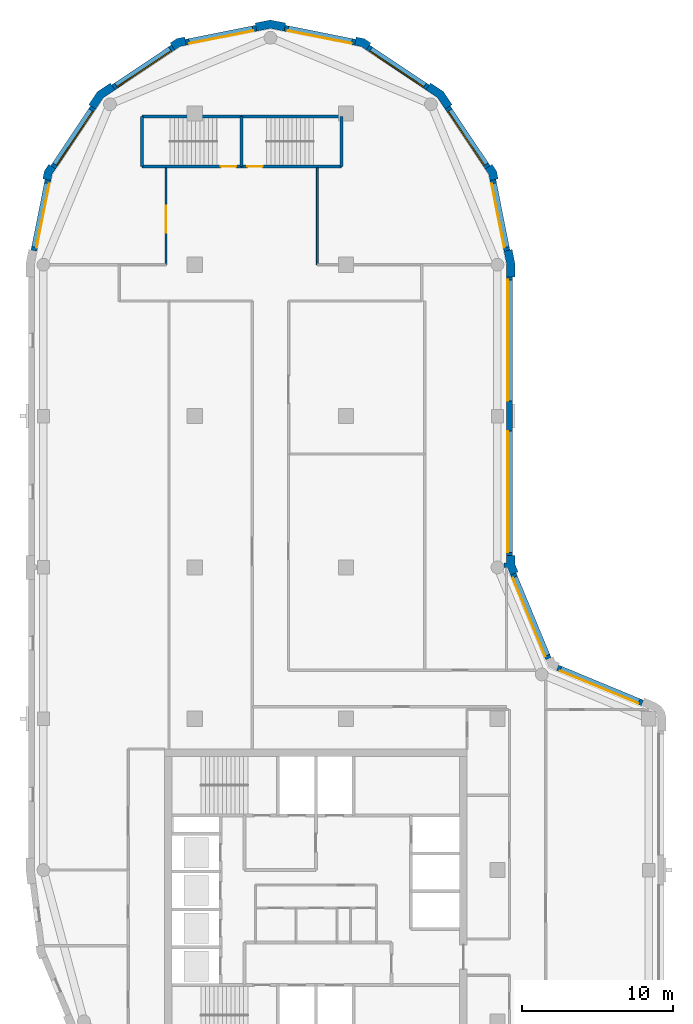
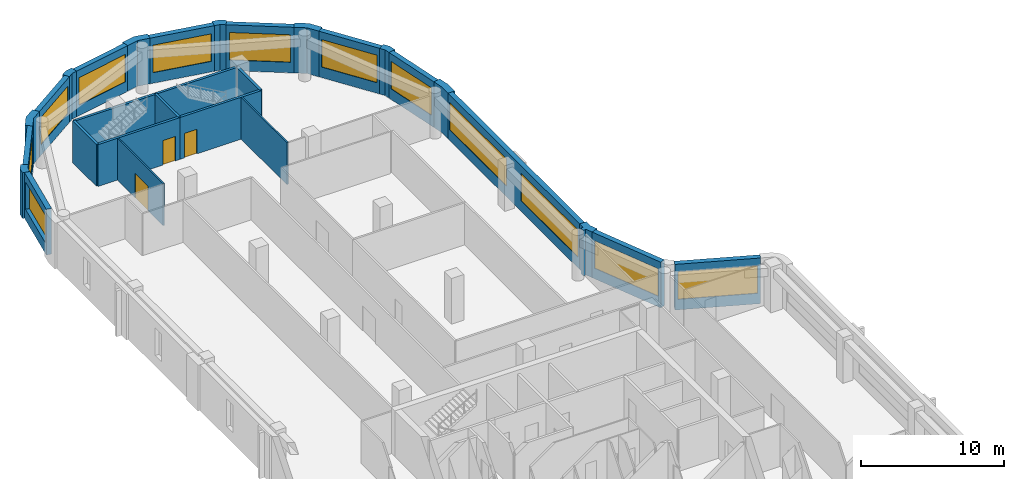
# One storey, part 5 of 8: 29 walls, 12 windows, 3 doors, 15 openings.
"""IFC4 building model written with IfcOpenShell, lengths in metres."""

from ifc_helpers import new_model, si_unit, direction, frame, frame_2d, origin, place, context, subcontext, project, spatial, polyline, rectangle, outline, extrude, material, layer, layer_set, type_object, element, fill, save


model = new_model("IFC4")

# Units and contexts
model_context = context("Model", 3, precision=1e-05, world=origin(), true_north=direction((0.0, 1.0)))
body_context = subcontext(model_context, "Body", "Model", "MODEL_VIEW")
ifc_project = project(units=[si_unit("LENGTHUNIT", "METRE"), si_unit("AREAUNIT", "SQUARE_METRE"), si_unit("VOLUMEUNIT", "CUBIC_METRE"), si_unit("PLANEANGLEUNIT", "RADIAN"), si_unit("MASSUNIT", "GRAM", prefix="KILO")], contexts=[model_context])

# Site, building, storey
site_placement = place(None, origin())
site = spatial("IfcSite", under=ifc_project, at=site_placement, CompositionType="ELEMENT")
building_placement = place(site_placement, origin())
building = spatial("IfcBuilding", under=site, at=building_placement, Name="Qaws Garden Tower", CompositionType="ELEMENT")
storey_placement = place(building_placement, frame((0.0, 0.0, 306.0)))
storey = spatial("IfcBuildingStorey", under=building, at=storey_placement, Name="L74", CompositionType="ELEMENT", Elevation=306.0)

# Wall, opening, window
ifc_material_1 = material(Name="Clay facing brick masonry", Category="masonry")
ifc_layer_1 = layer(ifc_material_1, 0.39990234375)
ifc_layer_set_1 = layer_set([ifc_layer_1], Name="Clay facing brick masonry")
wall_type_1 = type_object("IfcWallType", Name="Brick infill wall 400", PredefinedType="SOLIDWALL", material=ifc_layer_set_1)
wall_1_placement = place(storey_placement, frame((39.56689453125, 31.04541015625, 0.0), z_axis=(0.0, 0.0, 1.0), x_axis=(-0.923891000409, 0.382655745237, 0.0)))
wall_1 = element("IfcWall", 1, at=wall_1_placement, inside=storey, type_object=wall_type_1, Name="E-L74-infill-05", PredefinedType="SOLIDWALL", context=body_context, shape_type="SweptSolid", body=[
    extrude(rectangle(XDim=6.053466796875, YDim=0.39990234375, at=frame_2d((3.02685546875, 0.0))), origin(), (0.0, 0.0, 1.0), 3.89990234375),
])
opening_1_placement = place(wall_1_placement, frame((0.226806640625, 0.0, 0.89990234375)))
opening_1 = element("IfcOpeningElement", 2, at=opening_1_placement, cuts=wall_1, Name="Opening W04", PredefinedType="OPENING", context=body_context, shape_type="SweptSolid", body=[
    extrude(rectangle(XDim=5.60009765625, YDim=2.35009765625, at=frame_2d((2.800048828125, 1.175048828125))), frame((0.0, 0.2099609375, 0.0), z_axis=(0.0, -1.0, 0.0), x_axis=(1.0, 0.0, 0.0)), (0.0, 0.0, 1.0), 0.419921875),
])
ifc_material_2 = material(Name="Aluminium framed window, clear glazing", Category="aluminium")
window_type_1 = type_object("IfcWindowType", Name="Ribbon window 5600 x 2350", PartitioningType="DOUBLE_PANEL_VERTICAL", PredefinedType="WINDOW", material=ifc_material_2)
window_1_placement = place(opening_1_placement, origin())
window_1 = element("IfcWindow", 3, at=window_1_placement, inside=storey, type_object=window_type_1, Name="E-L74-window-05-0", OverallHeight=2.35009765625, OverallWidth=5.60009765625, PartitioningType="SINGLE_PANEL", PredefinedType="WINDOW", context=body_context, shape_type="SweptSolid", body=[
    extrude(rectangle(XDim=5.60009765625, YDim=2.35009765625, at=frame_2d((2.800048828125, 1.175048828125))), frame((0.0, 0.159912109375, 0.0), z_axis=(0.0, -1.0, 0.0), x_axis=(1.0, 0.0, 0.0)), (0.0, 0.0, 1.0), 0.06005859375),
])
fill(opening_1, window_1)

wall_2_placement = place(storey_placement, frame((33.36181640625, 33.97412109375, 0.0), z_axis=(0.0, 0.0, 1.0), x_axis=(-0.382655745237, 0.923891000409, 0.0)))
wall_2 = element("IfcWall", 4, at=wall_2_placement, inside=storey, type_object=wall_type_1, Name="E-L74-infill-06", PredefinedType="SOLIDWALL", context=body_context, shape_type="SweptSolid", body=[
    extrude(rectangle(XDim=6.053466796875, YDim=0.39990234375, at=frame_2d((3.02685546875, 0.0))), origin(), (0.0, 0.0, 1.0), 3.89990234375),
])
opening_2_placement = place(wall_2_placement, frame((0.226806640625, 0.0, 0.89990234375)))
opening_2 = element("IfcOpeningElement", 5, at=opening_2_placement, cuts=wall_2, Name="Opening W04", PredefinedType="OPENING", context=body_context, shape_type="SweptSolid", body=[
    extrude(rectangle(XDim=5.60009765625, YDim=2.35009765625, at=frame_2d((2.800048828125, 1.175048828125))), frame((0.0, 0.2099609375, 0.0), z_axis=(0.0, -1.0, 0.0), x_axis=(1.0, 0.0, 0.0)), (0.0, 0.0, 1.0), 0.419921875),
])
window_2_placement = place(opening_2_placement, origin())
window_2 = element("IfcWindow", 6, at=window_2_placement, inside=storey, type_object=window_type_1, Name="E-L74-window-06-0", OverallHeight=2.35009765625, OverallWidth=5.60009765625, PartitioningType="SINGLE_PANEL", PredefinedType="WINDOW", context=body_context, shape_type="SweptSolid", body=[
    extrude(rectangle(XDim=5.60009765625, YDim=2.35009765625, at=frame_2d((2.800048828125, 1.175048828125))), frame((0.0, 0.159912109375, 0.0), z_axis=(0.0, -1.0, 0.0), x_axis=(1.0, 0.0, 0.0)), (0.0, 0.0, 1.0), 0.06005859375),
])
fill(opening_2, window_2)

# Wall, openings, windows
wall_3_placement = place(storey_placement, frame((30.800048828125, 40.800048828125, 0.0), z_axis=(0.0, 0.0, 1.0), x_axis=(0.0, 1.0, 0.0)))
wall_3 = element("IfcWall", 7, at=wall_3_placement, inside=storey, type_object=wall_type_1, Name="E-L74-infill-07", PredefinedType="SOLIDWALL", context=body_context, shape_type="SweptSolid", body=[
    extrude(rectangle(XDim=18.39990234375, YDim=0.39990234375, at=frame_2d((9.199951171875, 0.0))), origin(), (0.0, 0.0, 1.0), 3.89990234375),
])
opening_3_placement = place(wall_3_placement, frame((0.199951171875, 0.0, 0.89990234375)))
opening_3 = element("IfcOpeningElement", 8, at=opening_3_placement, cuts=wall_3, Name="Opening W01", PredefinedType="OPENING", context=body_context, shape_type="SweptSolid", body=[
    extrude(rectangle(XDim=8.0, YDim=2.35009765625, at=frame_2d((4.0, 1.175048828125))), frame((0.0, 0.2099609375, 0.0), z_axis=(0.0, -1.0, 0.0), x_axis=(1.0, 0.0, 0.0)), (0.0, 0.0, 1.0), 0.419921875),
])
opening_4_placement = place(wall_3_placement, frame((10.199951171875, 0.0, 0.89990234375)))
opening_4 = element("IfcOpeningElement", 9, at=opening_4_placement, cuts=wall_3, Name="Opening W01", PredefinedType="OPENING", context=body_context, shape_type="SweptSolid", body=[
    extrude(rectangle(XDim=8.0, YDim=2.35009765625, at=frame_2d((4.0, 1.175048828125))), frame((0.0, 0.2099609375, 0.0), z_axis=(0.0, -1.0, 0.0), x_axis=(1.0, 0.0, 0.0)), (0.0, 0.0, 1.0), 0.419921875),
])
ifc_material_3 = material(Name="Aluminium framed window, clear glazing", Category="aluminium")
window_type_2 = type_object("IfcWindowType", Name="Ribbon window 8000 x 2350", PartitioningType="DOUBLE_PANEL_VERTICAL", PredefinedType="WINDOW", material=ifc_material_3)
window_3_placement = place(opening_3_placement, origin())
window_3 = element("IfcWindow", 10, at=window_3_placement, inside=storey, type_object=window_type_2, Name="E-L74-window-07-0", OverallHeight=2.35009765625, OverallWidth=8.0, PartitioningType="SINGLE_PANEL", PredefinedType="WINDOW", context=body_context, shape_type="SweptSolid", body=[
    extrude(rectangle(XDim=8.0, YDim=2.35009765625, at=frame_2d((4.0, 1.175048828125))), frame((0.0, 0.159912109375, 0.0), z_axis=(0.0, -1.0, 0.0), x_axis=(1.0, 0.0, 0.0)), (0.0, 0.0, 1.0), 0.06005859375),
])
fill(opening_3, window_3)
window_4_placement = place(opening_4_placement, origin())
window_4 = element("IfcWindow", 11, at=window_4_placement, inside=storey, type_object=window_type_2, Name="E-L74-window-08-0", OverallHeight=2.35009765625, OverallWidth=8.0, PartitioningType="SINGLE_PANEL", PredefinedType="WINDOW", context=body_context, shape_type="SweptSolid", body=[
    extrude(rectangle(XDim=8.0, YDim=2.35009765625, at=frame_2d((4.0, 1.175048828125))), frame((0.0, 0.159912109375, 0.0), z_axis=(0.0, -1.0, 0.0), x_axis=(1.0, 0.0, 0.0)), (0.0, 0.0, 1.0), 0.06005859375),
])
fill(opening_4, window_4)

# Wall, opening, window
wall_4_placement = place(storey_placement, frame((30.628662109375, 60.940673828125, 0.0), z_axis=(0.0, 0.0, 1.0), x_axis=(-0.195098533057, 0.98078364709, 0.0)))
wall_4 = element("IfcWall", 12, at=wall_4_placement, inside=storey, type_object=wall_type_1, Name="E-L74-infill-09", PredefinedType="SOLIDWALL", context=body_context, shape_type="SweptSolid", body=[
    extrude(rectangle(XDim=4.752685546875, YDim=0.39990234375, at=frame_2d((2.37646484375, 0.0))), origin(), (0.0, 0.0, 1.0), 3.89990234375),
])
opening_5_placement = place(wall_4_placement, frame((0.226318359375, 0.0, 0.89990234375)))
opening_5 = element("IfcOpeningElement", 13, at=opening_5_placement, cuts=wall_4, Name="Opening W06", PredefinedType="OPENING", context=body_context, shape_type="SweptSolid", body=[
    extrude(rectangle(XDim=4.300048828125, YDim=2.35009765625, at=frame_2d((2.14990234375, 1.175048828125))), frame((0.0, 0.2099609375, 0.0), z_axis=(0.0, -1.0, 0.0), x_axis=(1.0, 0.0, 0.0)), (0.0, 0.0, 1.0), 0.419921875),
])
ifc_material_4 = material(Name="Aluminium framed window, clear glazing", Category="aluminium")
window_type_3 = type_object("IfcWindowType", Name="Ribbon window 4300 x 2350", PartitioningType="DOUBLE_PANEL_VERTICAL", PredefinedType="WINDOW", material=ifc_material_4)
window_5_placement = place(opening_5_placement, origin())
window_5 = element("IfcWindow", 14, at=window_5_placement, inside=storey, type_object=window_type_3, Name="E-L74-window-09-0", OverallHeight=2.35009765625, OverallWidth=4.300048828125, PartitioningType="SINGLE_PANEL", PredefinedType="WINDOW", context=body_context, shape_type="SweptSolid", body=[
    extrude(rectangle(XDim=4.300048828125, YDim=2.35009765625, at=frame_2d((2.14990234375, 1.175048828125))), frame((0.0, 0.159912109375, 0.0), z_axis=(0.0, -1.0, 0.0), x_axis=(1.0, 0.0, 0.0)), (0.0, 0.0, 1.0), 0.06005859375),
])
fill(opening_5, window_5)

wall_5_placement = place(storey_placement, frame((29.356689453125, 66.43408203125, 0.0), z_axis=(0.0, 0.0, 1.0), x_axis=(-0.555541552266, 0.831488775454, 0.0)))
wall_5 = element("IfcWall", 15, at=wall_5_placement, inside=storey, type_object=wall_type_1, Name="E-L74-infill-10", PredefinedType="SOLIDWALL", context=body_context, shape_type="SweptSolid", body=[
    extrude(rectangle(XDim=4.752685546875, YDim=0.39990234375, at=frame_2d((2.37646484375, 0.0))), origin(), (0.0, 0.0, 1.0), 3.89990234375),
])
opening_6_placement = place(wall_5_placement, frame((0.226318359375, 0.0, 0.89990234375)))
opening_6 = element("IfcOpeningElement", 16, at=opening_6_placement, cuts=wall_5, Name="Opening W06", PredefinedType="OPENING", context=body_context, shape_type="SweptSolid", body=[
    extrude(rectangle(XDim=4.300048828125, YDim=2.35009765625, at=frame_2d((2.14990234375, 1.175048828125))), frame((0.0, 0.2099609375, 0.0), z_axis=(0.0, -1.0, 0.0), x_axis=(1.0, 0.0, 0.0)), (0.0, 0.0, 1.0), 0.419921875),
])
window_6_placement = place(opening_6_placement, origin())
window_6 = element("IfcWindow", 17, at=window_6_placement, inside=storey, type_object=window_type_3, Name="E-L74-window-10-0", OverallHeight=2.35009765625, OverallWidth=4.300048828125, PartitioningType="SINGLE_PANEL", PredefinedType="WINDOW", context=body_context, shape_type="SweptSolid", body=[
    extrude(rectangle(XDim=4.300048828125, YDim=2.35009765625, at=frame_2d((2.14990234375, 1.175048828125))), frame((0.0, 0.159912109375, 0.0), z_axis=(0.0, -1.0, 0.0), x_axis=(1.0, 0.0, 0.0)), (0.0, 0.0, 1.0), 0.06005859375),
])
fill(opening_6, window_6)

wall_6_placement = place(storey_placement, frame((25.385986328125, 71.71630859375, 0.0), z_axis=(0.0, 0.0, 1.0), x_axis=(-0.831488775454, 0.555541552266, 0.0)))
wall_6 = element("IfcWall", 18, at=wall_6_placement, inside=storey, type_object=wall_type_1, Name="E-L74-infill-11", PredefinedType="SOLIDWALL", context=body_context, shape_type="SweptSolid", body=[
    extrude(rectangle(XDim=4.752685546875, YDim=0.39990234375, at=frame_2d((2.37646484375, 0.0))), origin(), (0.0, 0.0, 1.0), 3.89990234375),
])
opening_7_placement = place(wall_6_placement, frame((0.226318359375, 0.0, 0.89990234375)))
opening_7 = element("IfcOpeningElement", 19, at=opening_7_placement, cuts=wall_6, Name="Opening W06", PredefinedType="OPENING", context=body_context, shape_type="SweptSolid", body=[
    extrude(rectangle(XDim=4.300048828125, YDim=2.35009765625, at=frame_2d((2.14990234375, 1.175048828125))), frame((0.0, 0.2099609375, 0.0), z_axis=(0.0, -1.0, 0.0), x_axis=(1.0, 0.0, 0.0)), (0.0, 0.0, 1.0), 0.419921875),
])
window_7_placement = place(opening_7_placement, origin())
window_7 = element("IfcWindow", 20, at=window_7_placement, inside=storey, type_object=window_type_3, Name="E-L74-window-11-0", OverallHeight=2.35009765625, OverallWidth=4.300048828125, PartitioningType="SINGLE_PANEL", PredefinedType="WINDOW", context=body_context, shape_type="SweptSolid", body=[
    extrude(rectangle(XDim=4.300048828125, YDim=2.35009765625, at=frame_2d((2.14990234375, 1.175048828125))), frame((0.0, 0.159912109375, 0.0), z_axis=(0.0, -1.0, 0.0), x_axis=(1.0, 0.0, 0.0)), (0.0, 0.0, 1.0), 0.06005859375),
])
fill(opening_7, window_7)

wall_7_placement = place(storey_placement, frame((20.60205078125, 74.701416015625, 0.0), z_axis=(0.0, 0.0, 1.0), x_axis=(-0.98078364709, 0.195098533057, 0.0)))
wall_7 = element("IfcWall", 21, at=wall_7_placement, inside=storey, type_object=wall_type_1, Name="E-L74-infill-12", PredefinedType="SOLIDWALL", context=body_context, shape_type="SweptSolid", body=[
    extrude(rectangle(XDim=4.752685546875, YDim=0.39990234375, at=frame_2d((2.37646484375, 0.0))), origin(), (0.0, 0.0, 1.0), 3.89990234375),
])
opening_8_placement = place(wall_7_placement, frame((0.226318359375, 0.0, 0.89990234375)))
opening_8 = element("IfcOpeningElement", 22, at=opening_8_placement, cuts=wall_7, Name="Opening W06", PredefinedType="OPENING", context=body_context, shape_type="SweptSolid", body=[
    extrude(rectangle(XDim=4.300048828125, YDim=2.35009765625, at=frame_2d((2.14990234375, 1.175048828125))), frame((0.0, 0.2099609375, 0.0), z_axis=(0.0, -1.0, 0.0), x_axis=(1.0, 0.0, 0.0)), (0.0, 0.0, 1.0), 0.419921875),
])
window_8_placement = place(opening_8_placement, origin())
window_8 = element("IfcWindow", 23, at=window_8_placement, inside=storey, type_object=window_type_3, Name="E-L74-window-12-0", OverallHeight=2.35009765625, OverallWidth=4.300048828125, PartitioningType="SINGLE_PANEL", PredefinedType="WINDOW", context=body_context, shape_type="SweptSolid", body=[
    extrude(rectangle(XDim=4.300048828125, YDim=2.35009765625, at=frame_2d((2.14990234375, 1.175048828125))), frame((0.0, 0.159912109375, 0.0), z_axis=(0.0, -1.0, 0.0), x_axis=(1.0, 0.0, 0.0)), (0.0, 0.0, 1.0), 0.06005859375),
])
fill(opening_8, window_8)

wall_8_placement = place(storey_placement, frame((14.059326171875, 75.628662109375, 0.0), z_axis=(0.0, 0.0, 1.0), x_axis=(-0.98078364709, -0.195098533057, 0.0)))
wall_8 = element("IfcWall", 24, at=wall_8_placement, inside=storey, type_object=wall_type_1, Name="E-L74-infill-13", PredefinedType="SOLIDWALL", context=body_context, shape_type="SweptSolid", body=[
    extrude(rectangle(XDim=4.752685546875, YDim=0.39990234375, at=frame_2d((2.37646484375, 0.0))), origin(), (0.0, 0.0, 1.0), 3.89990234375),
])
opening_9_placement = place(wall_8_placement, frame((0.226318359375, 0.0, 0.89990234375)))
opening_9 = element("IfcOpeningElement", 25, at=opening_9_placement, cuts=wall_8, Name="Opening W06", PredefinedType="OPENING", context=body_context, shape_type="SweptSolid", body=[
    extrude(rectangle(XDim=4.300048828125, YDim=2.35009765625, at=frame_2d((2.14990234375, 1.175048828125))), frame((0.0, 0.2099609375, 0.0), z_axis=(0.0, -1.0, 0.0), x_axis=(1.0, 0.0, 0.0)), (0.0, 0.0, 1.0), 0.419921875),
])
window_9_placement = place(opening_9_placement, origin())
window_9 = element("IfcWindow", 26, at=window_9_placement, inside=storey, type_object=window_type_3, Name="E-L74-window-13-0", OverallHeight=2.35009765625, OverallWidth=4.300048828125, PartitioningType="SINGLE_PANEL", PredefinedType="WINDOW", context=body_context, shape_type="SweptSolid", body=[
    extrude(rectangle(XDim=4.300048828125, YDim=2.35009765625, at=frame_2d((2.14990234375, 1.175048828125))), frame((0.0, 0.159912109375, 0.0), z_axis=(0.0, -1.0, 0.0), x_axis=(1.0, 0.0, 0.0)), (0.0, 0.0, 1.0), 0.06005859375),
])
fill(opening_9, window_9)

wall_9_placement = place(storey_placement, frame((8.56591796875, 74.356689453125, 0.0), z_axis=(0.0, 0.0, 1.0), x_axis=(-0.831488775454, -0.555541552266, 0.0)))
wall_9 = element("IfcWall", 27, at=wall_9_placement, inside=storey, type_object=wall_type_1, Name="E-L74-infill-14", PredefinedType="SOLIDWALL", context=body_context, shape_type="SweptSolid", body=[
    extrude(rectangle(XDim=4.752685546875, YDim=0.39990234375, at=frame_2d((2.37646484375, 0.0))), origin(), (0.0, 0.0, 1.0), 3.89990234375),
])
opening_10_placement = place(wall_9_placement, frame((0.226318359375, 0.0, 0.89990234375)))
opening_10 = element("IfcOpeningElement", 28, at=opening_10_placement, cuts=wall_9, Name="Opening W06", PredefinedType="OPENING", context=body_context, shape_type="SweptSolid", body=[
    extrude(rectangle(XDim=4.300048828125, YDim=2.35009765625, at=frame_2d((2.14990234375, 1.175048828125))), frame((0.0, 0.2099609375, 0.0), z_axis=(0.0, -1.0, 0.0), x_axis=(1.0, 0.0, 0.0)), (0.0, 0.0, 1.0), 0.419921875),
])
window_10_placement = place(opening_10_placement, origin())
window_10 = element("IfcWindow", 29, at=window_10_placement, inside=storey, type_object=window_type_3, Name="E-L74-window-14-0", OverallHeight=2.35009765625, OverallWidth=4.300048828125, PartitioningType="SINGLE_PANEL", PredefinedType="WINDOW", context=body_context, shape_type="SweptSolid", body=[
    extrude(rectangle(XDim=4.300048828125, YDim=2.35009765625, at=frame_2d((2.14990234375, 1.175048828125))), frame((0.0, 0.159912109375, 0.0), z_axis=(0.0, -1.0, 0.0), x_axis=(1.0, 0.0, 0.0)), (0.0, 0.0, 1.0), 0.06005859375),
])
fill(opening_10, window_10)

wall_10_placement = place(storey_placement, frame((3.28369140625, 70.385986328125, 0.0), z_axis=(0.0, 0.0, 1.0), x_axis=(-0.555541552266, -0.831488775454, 0.0)))
wall_10 = element("IfcWall", 30, at=wall_10_placement, inside=storey, type_object=wall_type_1, Name="E-L74-infill-15", PredefinedType="SOLIDWALL", context=body_context, shape_type="SweptSolid", body=[
    extrude(rectangle(XDim=4.752685546875, YDim=0.39990234375, at=frame_2d((2.37646484375, 0.0))), origin(), (0.0, 0.0, 1.0), 3.89990234375),
])
opening_11_placement = place(wall_10_placement, frame((0.226318359375, 0.0, 0.89990234375)))
opening_11 = element("IfcOpeningElement", 31, at=opening_11_placement, cuts=wall_10, Name="Opening W06", PredefinedType="OPENING", context=body_context, shape_type="SweptSolid", body=[
    extrude(rectangle(XDim=4.300048828125, YDim=2.35009765625, at=frame_2d((2.14990234375, 1.175048828125))), frame((0.0, 0.2099609375, 0.0), z_axis=(0.0, -1.0, 0.0), x_axis=(1.0, 0.0, 0.0)), (0.0, 0.0, 1.0), 0.419921875),
])
window_11_placement = place(opening_11_placement, origin())
window_11 = element("IfcWindow", 32, at=window_11_placement, inside=storey, type_object=window_type_3, Name="E-L74-window-15-0", OverallHeight=2.35009765625, OverallWidth=4.300048828125, PartitioningType="SINGLE_PANEL", PredefinedType="WINDOW", context=body_context, shape_type="SweptSolid", body=[
    extrude(rectangle(XDim=4.300048828125, YDim=2.35009765625, at=frame_2d((2.14990234375, 1.175048828125))), frame((0.0, 0.159912109375, 0.0), z_axis=(0.0, -1.0, 0.0), x_axis=(1.0, 0.0, 0.0)), (0.0, 0.0, 1.0), 0.06005859375),
])
fill(opening_11, window_11)

wall_11_placement = place(storey_placement, frame((0.298583984375, 65.60205078125, 0.0), z_axis=(0.0, 0.0, 1.0), x_axis=(-0.195098533057, -0.98078364709, 0.0)))
wall_11 = element("IfcWall", 33, at=wall_11_placement, inside=storey, type_object=wall_type_1, Name="E-L74-infill-16", PredefinedType="SOLIDWALL", context=body_context, shape_type="SweptSolid", body=[
    extrude(rectangle(XDim=4.752685546875, YDim=0.39990234375, at=frame_2d((2.37646484375, 0.0))), origin(), (0.0, 0.0, 1.0), 3.89990234375),
])
opening_12_placement = place(wall_11_placement, frame((0.226318359375, 0.0, 0.89990234375)))
opening_12 = element("IfcOpeningElement", 34, at=opening_12_placement, cuts=wall_11, Name="Opening W06", PredefinedType="OPENING", context=body_context, shape_type="SweptSolid", body=[
    extrude(rectangle(XDim=4.300048828125, YDim=2.35009765625, at=frame_2d((2.14990234375, 1.175048828125))), frame((0.0, 0.2099609375, 0.0), z_axis=(0.0, -1.0, 0.0), x_axis=(1.0, 0.0, 0.0)), (0.0, 0.0, 1.0), 0.419921875),
])
window_12_placement = place(opening_12_placement, origin())
window_12 = element("IfcWindow", 35, at=window_12_placement, inside=storey, type_object=window_type_3, Name="E-L74-window-16-0", OverallHeight=2.35009765625, OverallWidth=4.300048828125, PartitioningType="SINGLE_PANEL", PredefinedType="WINDOW", context=body_context, shape_type="SweptSolid", body=[
    extrude(rectangle(XDim=4.300048828125, YDim=2.35009765625, at=frame_2d((2.14990234375, 1.175048828125))), frame((0.0, 0.159912109375, 0.0), z_axis=(0.0, -1.0, 0.0), x_axis=(1.0, 0.0, 0.0)), (0.0, 0.0, 1.0), 0.06005859375),
])
fill(opening_12, window_12)

# Walls
ifc_material_5 = material(Name="Clay facing brick masonry", Category="masonry")
ifc_layer_2 = layer(ifc_material_5, 0.550048828125)
ifc_layer_set_2 = layer_set([ifc_layer_2], Name="Clay facing brick masonry")
wall_type_2 = type_object("IfcWallType", Name="Brick kink pier 550 x 600", PredefinedType="SOLIDWALL", material=ifc_layer_set_2)
placement = place(storey_placement, origin())
element("IfcWall", 36, at=placement, inside=storey, type_object=wall_type_2, Name="E-L74-pier-10", PredefinedType="SOLIDWALL", context=body_context, shape_type="SweptSolid", body=[
    extrude(outline(polyline([(29.8974609375, 65.64111328125), (30.044677734375, 65.67041015625), (29.94140625, 66.18896484375), (29.647705078125, 66.628662109375), (29.52294921875, 66.545166015625), (29.1904296875, 66.322998046875), (29.42333984375, 65.974365234375), (29.505126953125, 65.56298828125), (29.8974609375, 65.64111328125)])), origin(), (0.0, 0.0, 1.0), 3.89990234375),
])
element("IfcWall", 37, at=placement, inside=storey, type_object=wall_type_2, Name="E-L74-pier-12", PredefinedType="SOLIDWALL", context=body_context, shape_type="SweptSolid", body=[
    extrude(outline(polyline([(21.545166015625, 74.52294921875), (21.628662109375, 74.647705078125), (21.18896484375, 74.94140625), (20.67041015625, 75.044677734375), (20.64111328125, 74.8974609375), (20.56298828125, 74.505126953125), (20.974365234375, 74.42333984375), (21.322998046875, 74.1904296875), (21.545166015625, 74.52294921875)])), origin(), (0.0, 0.0, 1.0), 3.89990234375),
])
element("IfcWall", 38, at=placement, inside=storey, type_object=wall_type_2, Name="E-L74-pier-14", PredefinedType="SOLIDWALL", context=body_context, shape_type="SweptSolid", body=[
    extrude(outline(polyline([(9.35888671875, 74.8974609375), (9.32958984375, 75.044677734375), (8.81103515625, 74.94140625), (8.371337890625, 74.647705078125), (8.454833984375, 74.52294921875), (8.677001953125, 74.1904296875), (9.025634765625, 74.42333984375), (9.43701171875, 74.505126953125), (9.35888671875, 74.8974609375)])), origin(), (0.0, 0.0, 1.0), 3.89990234375),
])
element("IfcWall", 39, at=placement, inside=storey, type_object=wall_type_2, Name="E-L74-pier-16", PredefinedType="SOLIDWALL", context=body_context, shape_type="SweptSolid", body=[
    extrude(outline(polyline([(0.47705078125, 66.545166015625), (0.352294921875, 66.628662109375), (0.05859375, 66.18896484375), (-0.044677734375, 65.67041015625), (0.1025390625, 65.64111328125), (0.494873046875, 65.56298828125), (0.57666015625, 65.974365234375), (0.8095703125, 66.322998046875), (0.47705078125, 66.545166015625)])), origin(), (0.0, 0.0, 1.0), 3.89990234375),
])
ifc_material_6 = material(Name="Clay facing brick masonry", Category="masonry")
ifc_layer_3 = layer(ifc_material_6, 0.550048828125)
ifc_layer_set_3 = layer_set([ifc_layer_3], Name="Clay facing brick masonry")
wall_type_3 = type_object("IfcWallType", Name="Brick pier 550 x 1600", PredefinedType="SOLIDWALL", material=ifc_layer_set_3)
element("IfcWall", 40, at=placement, inside=storey, type_object=wall_type_3, Name="E-L74-pier-07", PredefinedType="SOLIDWALL", context=body_context, shape_type="SweptSolid", body=[
    extrude(outline(polyline([(30.6201171875, 39.995361328125), (30.6201171875, 40.071044921875), (30.860595703125, 39.490478515625), (31.22998046875, 39.6435546875), (31.36865234375, 39.700927734375), (31.14990234375, 40.228759765625), (31.14990234375, 40.800048828125), (31.0, 40.800048828125), (30.60009765625, 40.800048828125), (30.60009765625, 40.29541015625), (30.425048828125, 40.29541015625), (30.425048828125, 39.995361328125), (30.6201171875, 39.995361328125)])), origin(), (0.0, 0.0, 1.0), 3.89990234375),
])
element("IfcWall", 41, at=placement, inside=storey, type_object=wall_type_3, Name="E-L74-pier-09", PredefinedType="SOLIDWALL", context=body_context, shape_type="SweptSolid", body=[
    extrude(outline(polyline([(31.0, 59.199951171875), (31.14990234375, 59.199951171875), (31.14990234375, 60.11328125), (30.971923828125, 61.009033203125), (30.82470703125, 60.979736328125), (30.432373046875, 60.901611328125), (30.60009765625, 60.05908203125), (30.60009765625, 59.199951171875), (31.0, 59.199951171875)])), origin(), (0.0, 0.0, 1.0), 3.89990234375),
])
element("IfcWall", 42, at=placement, inside=storey, type_object=wall_type_3, Name="E-L74-pier-11", PredefinedType="SOLIDWALL", context=body_context, shape_type="SweptSolid", body=[
    extrude(outline(polyline([(26.882568359375, 70.4970703125), (27.00732421875, 70.580322265625), (26.435791015625, 71.435791015625), (25.580322265625, 72.00732421875), (25.4970703125, 71.882568359375), (25.274658203125, 71.550048828125), (26.0390625, 71.0390625), (26.550048828125, 70.274658203125), (26.882568359375, 70.4970703125)])), origin(), (0.0, 0.0, 1.0), 3.89990234375),
])
element("IfcWall", 43, at=placement, inside=storey, type_object=wall_type_3, Name="E-L74-pier-13", PredefinedType="SOLIDWALL", context=body_context, shape_type="SweptSolid", body=[
    extrude(outline(polyline([(15.979736328125, 75.82470703125), (16.009033203125, 75.971923828125), (15.0, 76.172607421875), (13.990966796875, 75.971923828125), (14.020263671875, 75.82470703125), (14.098388671875, 75.432373046875), (15.0, 75.61181640625), (15.901611328125, 75.432373046875), (15.979736328125, 75.82470703125)])), origin(), (0.0, 0.0, 1.0), 3.89990234375),
])
element("IfcWall", 44, at=placement, inside=storey, type_object=wall_type_3, Name="E-L74-pier-15", PredefinedType="SOLIDWALL", context=body_context, shape_type="SweptSolid", body=[
    extrude(outline(polyline([(4.5029296875, 71.882568359375), (4.419677734375, 72.00732421875), (3.564208984375, 71.435791015625), (2.99267578125, 70.580322265625), (3.117431640625, 70.4970703125), (3.449951171875, 70.274658203125), (3.9609375, 71.0390625), (4.725341796875, 71.550048828125), (4.5029296875, 71.882568359375)])), origin(), (0.0, 0.0, 1.0), 3.89990234375),
])

# Wall, opening, door
ifc_material_7 = material(Name="Concrete C60", Category="concrete")
ifc_layer_4 = layer(ifc_material_7, 0.199951171875)
ifc_layer_set_4 = layer_set([ifc_layer_4], Name="Concrete C60")
wall_type_4 = type_object("IfcWallType", Name="Core shaft wall 200 C60", PredefinedType="SHEAR", material=ifc_layer_set_4)
wall_21_placement = place(storey_placement, frame((6.5, 66.5, 0.0), z_axis=(0.0, 0.0, 1.0), x_axis=(1.0, 0.0, 0.0)))
wall_21 = element("IfcWall", 45, at=wall_21_placement, inside=storey, type_object=wall_type_4, Name="Shaft wall", PredefinedType="SHEAR", context=body_context, shape_type="SweptSolid", body=[
    extrude(rectangle(XDim=6.60009765625, YDim=0.199951171875, at=frame_2d((3.300048828125, 0.0))), origin(), (0.0, 0.0, 1.0), 3.580078125),
])
opening_13_placement = place(wall_21_placement, frame((5.22509765625, 0.0, 0.0)))
opening_13 = element("IfcOpeningElement", 46, at=opening_13_placement, cuts=wall_21, Name="Opening SD13", PredefinedType="OPENING", context=body_context, shape_type="SweptSolid", body=[
    extrude(rectangle(XDim=1.0, YDim=2.10009765625, at=frame_2d((0.5, 1.050048828125))), frame((0.0, 0.10986328125, 0.0), z_axis=(0.0, -1.0, 0.0), x_axis=(1.0, 0.0, 0.0)), (0.0, 0.0, 1.0), 0.219970703125),
])
ifc_material_8 = material(Name="Steel S235", Category="steel")
door_type_1 = type_object("IfcDoorType", Name="Stair door 1000x2100", OperationType="SINGLE_SWING_RIGHT", PredefinedType="DOOR", material=ifc_material_8)
door_1_placement = place(opening_13_placement, origin())
door_1 = element("IfcDoor", 47, at=door_1_placement, inside=storey, type_object=door_type_1, Name="Stair 6 door", OperationType="SINGLE_SWING_RIGHT", OverallHeight=2.10009765625, OverallWidth=1.0, PredefinedType="DOOR", context=body_context, shape_type="SweptSolid", body=[
    extrude(rectangle(XDim=1.0, YDim=2.10009765625, at=frame_2d((0.5, 1.050048828125))), frame((0.0, 0.02490234375, 0.0), z_axis=(0.0, -1.0, 0.0), x_axis=(1.0, 0.0, 0.0)), (0.0, 0.0, 1.0), 0.050048828125),
])
fill(opening_13, door_1)

wall_22_placement = place(storey_placement, frame((13.10009765625, 66.5, 0.0), z_axis=(0.0, 0.0, 1.0), x_axis=(1.0, 0.0, 0.0)))
wall_22 = element("IfcWall", 48, at=wall_22_placement, inside=storey, type_object=wall_type_4, Name="Shaft wall", PredefinedType="SHEAR", context=body_context, shape_type="SweptSolid", body=[
    extrude(rectangle(XDim=6.599853515625, YDim=0.199951171875, at=frame_2d((3.2998046875, 0.0))), origin(), (0.0, 0.0, 1.0), 3.580078125),
])
opening_14_placement = place(wall_22_placement, frame((0.375, 0.0, 0.0)))
opening_14 = element("IfcOpeningElement", 49, at=opening_14_placement, cuts=wall_22, Name="Opening SD14", PredefinedType="OPENING", context=body_context, shape_type="SweptSolid", body=[
    extrude(rectangle(XDim=1.0, YDim=2.10009765625, at=frame_2d((0.5, 1.050048828125))), frame((0.0, 0.10986328125, 0.0), z_axis=(0.0, -1.0, 0.0), x_axis=(1.0, 0.0, 0.0)), (0.0, 0.0, 1.0), 0.219970703125),
])
door_2_placement = place(opening_14_placement, origin())
door_2 = element("IfcDoor", 50, at=door_2_placement, inside=storey, type_object=door_type_1, Name="Stair 7 door", OperationType="SINGLE_SWING_LEFT", OverallHeight=2.10009765625, OverallWidth=1.0, PredefinedType="DOOR", context=body_context, shape_type="SweptSolid", body=[
    extrude(rectangle(XDim=1.0, YDim=2.10009765625, at=frame_2d((0.5, 1.050048828125))), frame((0.0, 0.02490234375, 0.0), z_axis=(0.0, -1.0, 0.0), x_axis=(1.0, 0.0, 0.0)), (0.0, 0.0, 1.0), 0.050048828125),
])
fill(opening_14, door_2)

# Walls
wall_23_placement = place(storey_placement, frame((6.5, 69.800048828125, 0.0), z_axis=(0.0, 0.0, 1.0), x_axis=(1.0, 0.0, 0.0)))
element("IfcWall", 51, at=wall_23_placement, inside=storey, type_object=wall_type_4, Name="Shaft wall", PredefinedType="SHEAR", context=body_context, shape_type="SweptSolid", body=[
    extrude(rectangle(XDim=6.60009765625, YDim=0.199951171875, at=frame_2d((3.300048828125, 0.0))), origin(), (0.0, 0.0, 1.0), 3.580078125),
])
wall_24_placement = place(storey_placement, frame((13.10009765625, 69.800048828125, 0.0), z_axis=(0.0, 0.0, 1.0), x_axis=(1.0, 0.0, 0.0)))
element("IfcWall", 52, at=wall_24_placement, inside=storey, type_object=wall_type_4, Name="Shaft wall", PredefinedType="SHEAR", context=body_context, shape_type="SweptSolid", body=[
    extrude(rectangle(XDim=6.599853515625, YDim=0.199951171875, at=frame_2d((3.2998046875, 0.0))), origin(), (0.0, 0.0, 1.0), 3.580078125),
])
for number, where, z_axis, x_axis, name in (
    (53, (6.5, 66.5, 0.0), (0.0, 0.0, 1.0), (0.0, 1.0, 0.0), "Shaft wall"),
    (54, (13.10009765625, 66.5, 0.0), (0.0, 0.0, 1.0), (0.0, 1.0, 0.0), "Shaft wall"),
    (55, (19.699951171875, 66.5, 0.0), (0.0, 0.0, 1.0), (0.0, 1.0, 0.0), "Shaft wall"),
):
    element("IfcWall", number, at=place(storey_placement, frame(where, z_axis=z_axis, x_axis=x_axis)), inside=storey, type_object=wall_type_4, Name=name, PredefinedType="SHEAR", context=body_context, shape_type="SweptSolid", body=[
        extrude(rectangle(XDim=3.300048828125, YDim=0.199951171875, at=frame_2d((1.64990234375, 0.0))), origin(), (0.0, 0.0, 1.0), 3.580078125),
    ])

# Wall, opening, door
ifc_material_9 = material(Name="Glass and aluminium framing", Category="aluminium")
ifc_layer_5 = layer(ifc_material_9, 0.1201171875)
ifc_layer_set_5 = layer_set([ifc_layer_5], Name="Glass and aluminium framing")
wall_type_5 = type_object("IfcWallType", Name="GLAZED PARTITION 120 EI 30", PredefinedType="PARTITIONING", material=ifc_layer_set_5)
wall_25_placement = place(storey_placement, frame((8.10009765625, 60.0, 0.0), z_axis=(0.0, 0.0, 1.0), x_axis=(0.0, 1.0, 0.0)))
wall_25 = element("IfcWall", 56, at=wall_25_placement, inside=storey, type_object=wall_type_5, Name="O-L74-wall-029", PredefinedType="PARTITIONING", context=body_context, shape_type="SweptSolid", body=[
    extrude(rectangle(XDim=6.39990234375, YDim=0.1201171875, at=frame_2d((3.199951171875, 0.0))), origin(), (0.0, 0.0, 1.0), 3.580078125),
])
opening_15_placement = place(wall_25_placement, frame((2.10009765625, 0.0, 0.0)))
opening_15 = element("IfcOpeningElement", 57, at=opening_15_placement, cuts=wall_25, Name="Opening C706", PredefinedType="OPENING", context=body_context, shape_type="SweptSolid", body=[
    extrude(rectangle(XDim=1.800048828125, YDim=2.10009765625, at=frame_2d((0.89990234375, 1.050048828125))), frame((0.0, 0.070068359375, 0.0), z_axis=(0.0, -1.0, 0.0), x_axis=(1.0, 0.0, 0.0)), (0.0, 0.0, 1.0), 0.14013671875),
])
ifc_material_10 = material(Name="Timber door leaf", Category="wood")
door_type_2 = type_object("IfcDoorType", Name="DOUBLE DOOR 1800 X 2100", OperationType="DOUBLE_DOOR_SINGLE_SWING", PredefinedType="DOOR", material=ifc_material_10)
door_3_placement = place(opening_15_placement, origin())
door_3 = element("IfcDoor", 58, at=door_3_placement, inside=storey, type_object=door_type_2, Name="O-L74-door-006", OperationType="DOUBLE_DOOR_SINGLE_SWING", OverallHeight=2.10009765625, OverallWidth=1.800048828125, PredefinedType="DOOR", context=body_context, shape_type="SweptSolid", body=[
    extrude(rectangle(XDim=1.800048828125, YDim=2.10009765625, at=frame_2d((0.89990234375, 1.050048828125))), frame((0.0, 0.02490234375, 0.0), z_axis=(0.0, -1.0, 0.0), x_axis=(1.0, 0.0, 0.0)), (0.0, 0.0, 1.0), 0.050048828125),
])
fill(opening_15, door_3)

# Wall
wall_26_placement = place(storey_placement, frame((18.10009765625, 60.0, 0.0), z_axis=(0.0, 0.0, 1.0), x_axis=(0.0, 1.0, 0.0)))
element("IfcWall", 59, at=wall_26_placement, inside=storey, type_object=wall_type_5, Name="O-L74-wall-031", PredefinedType="PARTITIONING", context=body_context, shape_type="SweptSolid", body=[
    extrude(rectangle(XDim=6.39990234375, YDim=0.1201171875, at=frame_2d((3.199951171875, 0.0))), origin(), (0.0, 0.0, 1.0), 3.580078125),
])

save(model, "model.ifc")
